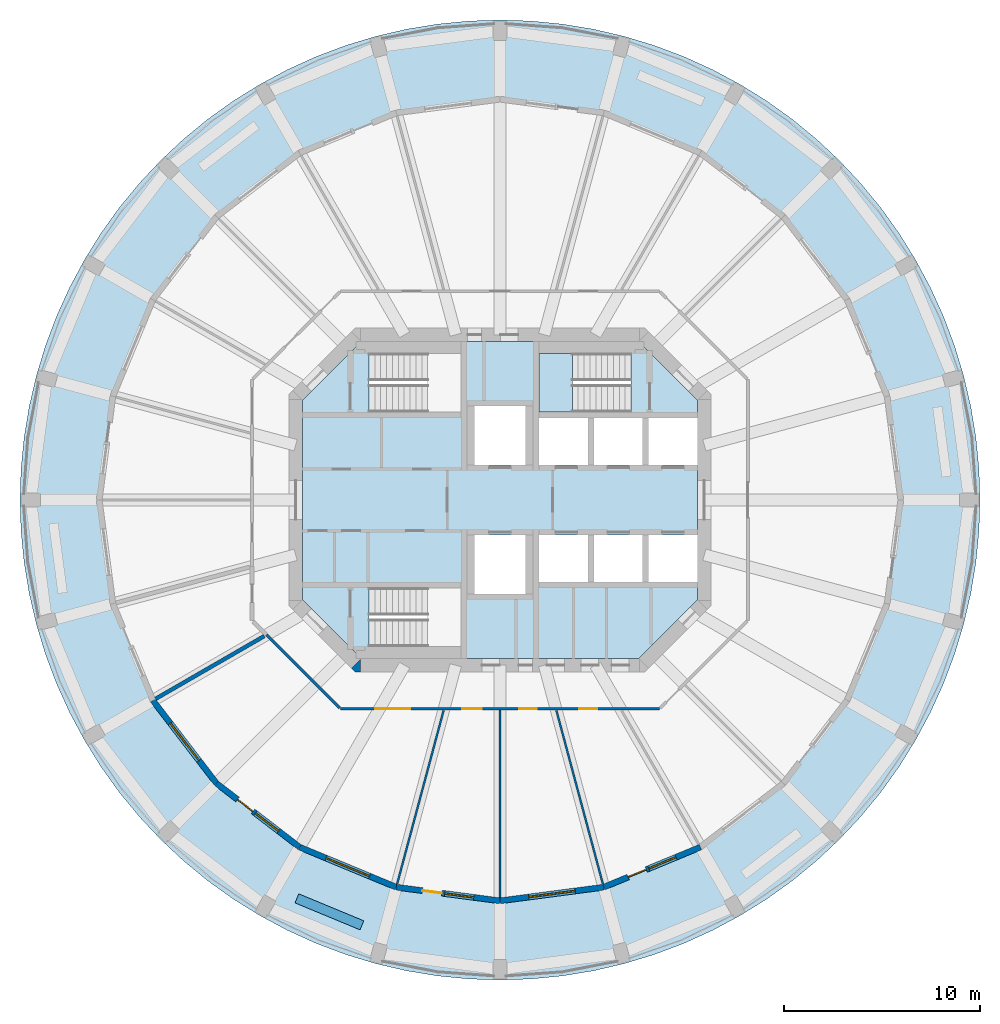
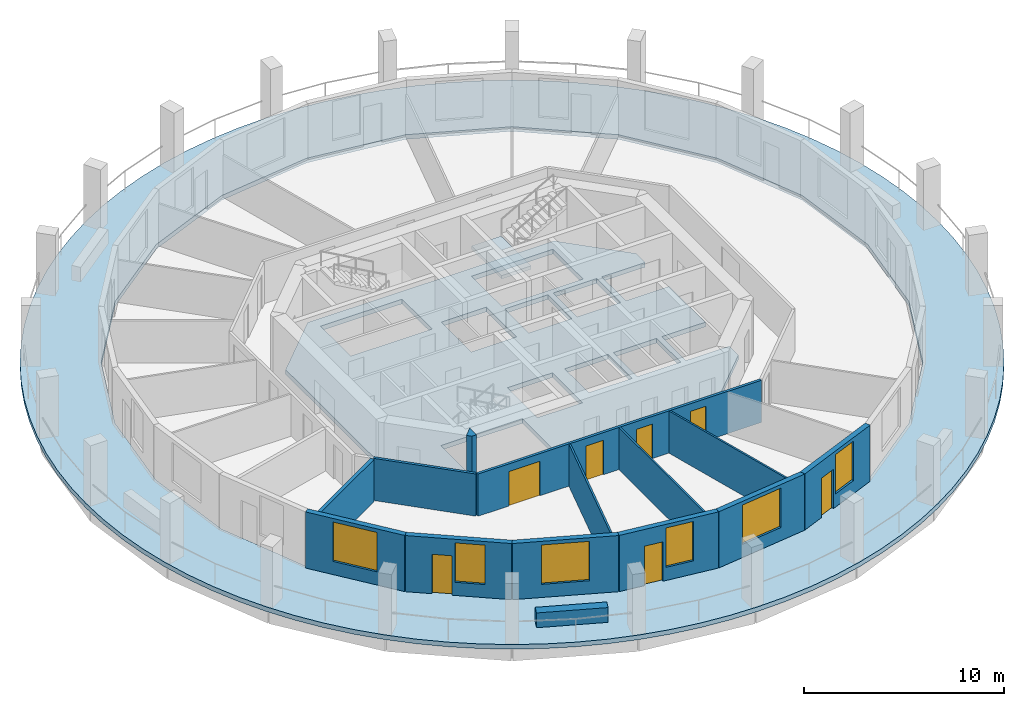
# One storey, part 2 of 9: 14 walls, 7 doors, 6 windows, 3 slabs, 13 openings, 1 element without a shape of its own.
"""IFC4 building model written with IfcOpenShell, lengths in metres."""

from ifc_helpers import new_model, si_unit, direction, frame, frame_2d, origin, place, context, subcontext, project, spatial, polyline, rectangle, outline, extrude, material, layer, layer_set, type_object, element, fill, aggregate, save


model = new_model("IFC4")

# Units and contexts
model_context = context("Model", 3, precision=1e-05, world=origin(), true_north=direction((0.0, 1.0)))
body_context = subcontext(model_context, "Body", "Model", "MODEL_VIEW")
ifc_project = project(units=[si_unit("LENGTHUNIT", "METRE"), si_unit("AREAUNIT", "SQUARE_METRE"), si_unit("VOLUMEUNIT", "CUBIC_METRE"), si_unit("PLANEANGLEUNIT", "RADIAN"), si_unit("MASSUNIT", "GRAM", prefix="KILO")], contexts=[model_context])

# Site, building, storey
site_placement = place(None, origin())
site = spatial("IfcSite", under=ifc_project, at=site_placement, CompositionType="ELEMENT")
building_placement = place(site_placement, origin())
building = spatial("IfcBuilding", under=site, at=building_placement, Name="Torre Triforio", CompositionType="ELEMENT")
storey_placement = place(building_placement, frame((0.0, 0.0, 244.60009765625)))
storey = spatial("IfcBuildingStorey", under=building, at=storey_placement, Name="L56", CompositionType="ELEMENT", Elevation=244.60009765625)

# Slabs
ifc_material_1 = material(Name="Concrete C50", Category="concrete")
ifc_layer_1 = layer(ifc_material_1, 0.280029296875)
ifc_layer_set_1 = layer_set([ifc_layer_1], Name="Concrete C50")
slab_type_1 = type_object("IfcSlabType", Name="Core floor slab 280 mm C50 REI 120", PredefinedType="FLOOR", material=ifc_layer_set_1)
slab_1_placement = place(storey_placement, frame((0.0, 0.0, -0.280029296875)))
element("IfcSlab", 1, at=slab_1_placement, inside=storey, type_object=slab_type_1, Name="Core floor slab", PredefinedType="FLOOR", context=body_context, shape_type="SweptSolid", body=[
    extrude(outline(polyline([(10.10009765625, -5.10009765625), (7.10009765625, -8.10009765625), (-7.10009765625, -8.10009765625), (-10.10009765625, -5.10009765625), (-10.10009765625, 5.10009765625), (-7.10009765625, 8.10009765625), (7.10009765625, 8.10009765625), (10.10009765625, 5.10009765625), (10.10009765625, 4.199951171875), (7.60009765625, 4.199951171875), (7.60009765625, 1.800048828125), (10.10009765625, 1.800048828125), (10.10009765625, -1.800048828125), (7.60009765625, -1.800048828125), (7.60009765625, -4.199951171875), (10.10009765625, -4.199951171875), (10.10009765625, -5.10009765625)]), holes=[polyline([(-6.696044921875, -4.5), (-6.696044921875, -7.5), (-2.0, -7.5), (-2.0, -4.5), (-6.696044921875, -4.5)]), polyline([(-1.300048828125, -1.800048828125), (-1.300048828125, -4.800048828125), (1.300048828125, -4.800048828125), (1.300048828125, -1.800048828125), (-1.300048828125, -1.800048828125)]), polyline([(2.0, -1.800048828125), (2.0, -4.199951171875), (4.5, -4.199951171875), (4.5, -1.800048828125), (2.0, -1.800048828125)]), polyline([(4.5, 4.199951171875), (2.0, 4.199951171875), (2.0, 1.800048828125), (4.5, 1.800048828125), (4.5, 4.199951171875)]), polyline([(1.300048828125, 4.800048828125), (-1.300048828125, 4.800048828125), (-1.300048828125, 1.800048828125), (1.300048828125, 1.800048828125), (1.300048828125, 4.800048828125)]), polyline([(-6.696044921875, 7.5), (-6.696044921875, 4.5), (-2.0, 4.5), (-2.0, 7.5), (-6.696044921875, 7.5)]), polyline([(7.300048828125, -1.800048828125), (4.800048828125, -1.800048828125), (4.800048828125, -4.199951171875), (7.300048828125, -4.199951171875), (7.300048828125, -1.800048828125)]), polyline([(4.800048828125, 4.199951171875), (4.800048828125, 1.800048828125), (7.300048828125, 1.800048828125), (7.300048828125, 4.199951171875), (4.800048828125, 4.199951171875)]), polyline([(6.696044921875, 7.5), (2.0, 7.5), (2.0, 4.5), (6.696044921875, 4.5), (6.696044921875, 7.5)])]), origin(), (0.0, 0.0, 1.0), 0.280029296875),
])
ifc_material_2 = material(Name="Concrete C40", Category="concrete")
ifc_layer_2 = layer(ifc_material_2, 0.280029296875)
ifc_layer_set_2 = layer_set([ifc_layer_2], Name="Concrete C40")
slab_type_2 = type_object("IfcSlabType", Name="Loggia slab 280 C40", PredefinedType="FLOOR", material=ifc_layer_set_2)
slab_2_placement = place(storey_placement, frame((0.0, 0.0, -0.280029296875)))
element("IfcSlab", 2, at=slab_2_placement, inside=storey, type_object=slab_type_2, Name="SL.L56.LG", PredefinedType="FLOOR", context=body_context, shape_type="SweptSolid", body=[
    extrude(outline(polyline([(24.49755859375, -1.605712890625), (24.550048828125, 0.0), (24.49755859375, 1.605712890625), (24.340087890625, 3.204345703125), (24.078369140625, 4.78955078125), (23.71337890625, 6.35400390625), (23.2470703125, 7.891357421875), (22.68115234375, 9.394775390625), (22.018310546875, 10.858154296875), (21.260986328125, 12.27490234375), (20.41259765625, 13.63916015625), (19.476806640625, 14.945068359375), (18.457763671875, 16.18701171875), (17.359375, 17.359375), (16.18701171875, 18.457763671875), (14.945068359375, 19.476806640625), (13.63916015625, 20.41259765625), (12.27490234375, 21.260986328125), (10.858154296875, 22.018310546875), (9.394775390625, 22.68115234375), (7.891357421875, 23.2470703125), (6.35400390625, 23.71337890625), (4.78955078125, 24.078369140625), (3.204345703125, 24.340087890625), (1.605712890625, 24.49755859375), (0.0, 24.550048828125), (-1.605712890625, 24.49755859375), (-3.204345703125, 24.340087890625), (-4.78955078125, 24.078369140625), (-6.35400390625, 23.71337890625), (-7.891357421875, 23.2470703125), (-9.394775390625, 22.68115234375), (-10.858154296875, 22.018310546875), (-12.27490234375, 21.260986328125), (-13.63916015625, 20.41259765625), (-14.945068359375, 19.476806640625), (-16.18701171875, 18.457763671875), (-17.359375, 17.359375), (-18.457763671875, 16.18701171875), (-19.476806640625, 14.945068359375), (-20.41259765625, 13.63916015625), (-21.260986328125, 12.27490234375), (-22.018310546875, 10.858154296875), (-22.68115234375, 9.394775390625), (-23.2470703125, 7.891357421875), (-23.71337890625, 6.35400390625), (-24.078369140625, 4.78955078125), (-24.340087890625, 3.204345703125), (-24.49755859375, 1.605712890625), (-24.550048828125, 0.0), (-24.49755859375, -1.605712890625), (-24.340087890625, -3.204345703125), (-24.078369140625, -4.78955078125), (-23.71337890625, -6.35400390625), (-23.2470703125, -7.891357421875), (-22.68115234375, -9.394775390625), (-22.018310546875, -10.858154296875), (-21.260986328125, -12.27490234375), (-20.41259765625, -13.63916015625), (-19.476806640625, -14.945068359375), (-18.457763671875, -16.18701171875), (-17.359375, -17.359375), (-16.18701171875, -18.457763671875), (-14.945068359375, -19.476806640625), (-13.63916015625, -20.41259765625), (-12.27490234375, -21.260986328125), (-10.858154296875, -22.018310546875), (-9.394775390625, -22.68115234375), (-7.891357421875, -23.2470703125), (-6.35400390625, -23.71337890625), (-4.78955078125, -24.078369140625), (-3.204345703125, -24.340087890625), (-1.605712890625, -24.49755859375), (0.0, -24.550048828125), (1.605712890625, -24.49755859375), (3.204345703125, -24.340087890625), (4.78955078125, -24.078369140625), (6.35400390625, -23.71337890625), (7.891357421875, -23.2470703125), (9.394775390625, -22.68115234375), (10.858154296875, -22.018310546875), (12.27490234375, -21.260986328125), (13.63916015625, -20.41259765625), (14.945068359375, -19.476806640625), (16.18701171875, -18.457763671875), (17.359375, -17.359375), (18.457763671875, -16.18701171875), (19.476806640625, -14.945068359375), (20.41259765625, -13.63916015625), (21.260986328125, -12.27490234375), (22.018310546875, -10.858154296875), (22.68115234375, -9.394775390625), (23.2470703125, -7.891357421875), (23.71337890625, -6.35400390625), (24.078369140625, -4.78955078125), (24.340087890625, -3.204345703125), (24.49755859375, -1.605712890625)]), holes=[polyline([(19.801513671875, 5.305908203125), (20.5, 0.0), (19.801513671875, -5.305908203125), (17.75341796875, -10.25), (14.49560546875, -14.49560546875), (10.25, -17.75341796875), (5.305908203125, -19.801513671875), (0.0, -20.5), (-5.305908203125, -19.801513671875), (-10.25, -17.75341796875), (-14.49560546875, -14.49560546875), (-17.75341796875, -10.25), (-19.801513671875, -5.305908203125), (-20.5, 0.0), (-19.801513671875, 5.305908203125), (-17.75341796875, 10.25), (-14.49560546875, 14.49560546875), (-10.25, 17.75341796875), (-5.305908203125, 19.801513671875), (0.0, 20.5), (5.305908203125, 19.801513671875), (10.25, 17.75341796875), (14.49560546875, 14.49560546875), (17.75341796875, 10.25), (19.801513671875, 5.305908203125)])]), origin(), (0.0, 0.0, 1.0), 0.280029296875),
])

# Stair, slab
stair_type = type_object("IfcStairType", Name="STAIR HALF-TURN", PredefinedType="HALF_TURN_STAIR", material=ifc_material_2)
stair_placement = place(storey_placement, origin())
stair = element("IfcStair", 3, at=stair_placement, inside=storey, type_object=stair_type, Name="Exit stair 2", PredefinedType="HALF_TURN_STAIR")
ifc_layer_3 = layer(ifc_material_2, 0.199951171875)
ifc_layer_set_3 = layer_set([ifc_layer_3], Name="Concrete C40")
slab_type_3 = type_object("IfcSlabType", Name="STAIR LANDING 200", PredefinedType="LANDING", material=ifc_layer_set_3)
slab_3_placement = place(storey_placement, frame((0.0, 0.0, 1.64990234375)))
slab_3 = element("IfcSlab", 4, at=slab_3_placement, type_object=slab_type_3, Name="ST2 landing 1", PredefinedType="LANDING", context=body_context, shape_type="SweptSolid", body=[
    extrude(outline(polyline([(3.699951171875, 4.5), (3.699951171875, 7.5), (2.0, 7.5), (2.0, 4.5), (3.699951171875, 4.5)])), origin(), (0.0, 0.0, 1.0), 0.199951171875),
])
aggregate(stair, [slab_3])

# Wall
ifc_layer_4 = layer(ifc_material_1, 0.699951171875)
ifc_layer_set_4 = layer_set([ifc_layer_4], Name="Concrete C50")
wall_type_1 = type_object("IfcWallType", Name="Core wall 700 mm C50 EI 120", PredefinedType="SHEAR", material=ifc_layer_set_4)
wall_1_placement = place(storey_placement, frame((0.0, 0.0, -0.280029296875)))
element("IfcWall", 5, at=wall_1_placement, inside=storey, type_object=wall_type_1, Name="Core wall", PredefinedType="SHEAR", context=body_context, shape_type="SweptSolid", body=[
    extrude(outline(polyline([(-7.389892578125, -8.800048828125), (-7.594970703125, -8.594970703125), (-7.594970703125, -8.594970703125), (-7.594970703125, -8.594970703125), (-7.1298828125, -8.1298828125), (-7.1298828125, -8.800048828125), (-7.1298828125, -8.800048828125), (-7.389892578125, -8.800048828125)])), origin(), (0.0, 0.0, 1.0), 3.699951171875),
])

# Wall, openings, doors
ifc_material_3 = material(Name="Plasterboard on metal studs")
ifc_layer_5 = layer(ifc_material_3, 0.14990234375)
ifc_layer_set_5 = layer_set([ifc_layer_5], Name="Plasterboard on metal studs")
wall_type_2 = type_object("IfcWallType", Name="Corridor and tenancy wall 150 mm EI 60", PredefinedType="PARTITIONING", material=ifc_layer_set_5)
wall_2_placement = place(storey_placement, frame((8.16650390625, -10.675048828125, 0.0), z_axis=(0.0, 0.0, 1.0), x_axis=(-1.0, 0.0, 0.0)))
wall_2 = element("IfcWall", 6, at=wall_2_placement, inside=storey, type_object=wall_type_2, Name="Partition 2", PredefinedType="PARTITIONING", context=body_context, shape_type="SweptSolid", body=[
    extrude(rectangle(XDim=16.3330078125, YDim=0.14990234375, at=frame_2d((8.16650390625, 0.0))), origin(), (0.0, 0.0, 1.0), 2.56982421875),
])
opening_1_placement = place(wall_2_placement, frame((12.755126953125, 0.0, 0.0)))
opening_1 = element("IfcOpeningElement", 7, at=opening_1_placement, cuts=wall_2, Name="Opening O8-01", PredefinedType="OPENING", context=body_context, shape_type="SweptSolid", body=[
    extrude(rectangle(XDim=1.800048828125, YDim=2.10009765625, at=frame_2d((0.89990234375, 1.050048828125))), frame((0.0, 0.0849609375, 0.0), z_axis=(0.0, -1.0, 0.0), x_axis=(1.0, 0.0, 0.0)), (0.0, 0.0, 1.0), 0.169921875),
])
opening_2_placement = place(wall_2_placement, frame((9.09765625, 0.0, 0.0)))
opening_2 = element("IfcOpeningElement", 8, at=opening_2_placement, cuts=wall_2, Name="Opening O8-02", PredefinedType="OPENING", context=body_context, shape_type="SweptSolid", body=[
    extrude(rectangle(XDim=1.0, YDim=2.10009765625, at=frame_2d((0.5, 1.050048828125))), frame((0.0, 0.0849609375, 0.0), z_axis=(0.0, -1.0, 0.0), x_axis=(1.0, 0.0, 0.0)), (0.0, 0.0, 1.0), 0.169921875),
])
opening_3_placement = place(wall_2_placement, frame((6.285400390625, 0.0, 0.0)))
opening_3 = element("IfcOpeningElement", 9, at=opening_3_placement, cuts=wall_2, Name="Opening O8-03", PredefinedType="OPENING", context=body_context, shape_type="SweptSolid", body=[
    extrude(rectangle(XDim=0.89990234375, YDim=2.10009765625, at=frame_2d((0.449951171875, 1.050048828125))), frame((0.0, 0.0849609375, 0.0), z_axis=(0.0, -1.0, 0.0), x_axis=(1.0, 0.0, 0.0)), (0.0, 0.0, 1.0), 0.169921875),
])
opening_4_placement = place(wall_2_placement, frame((3.200927734375, 0.0, 0.0)))
opening_4 = element("IfcOpeningElement", 10, at=opening_4_placement, cuts=wall_2, Name="Opening O8-04", PredefinedType="OPENING", context=body_context, shape_type="SweptSolid", body=[
    extrude(rectangle(XDim=0.89990234375, YDim=2.10009765625, at=frame_2d((0.449951171875, 1.050048828125))), frame((0.0, 0.0849609375, 0.0), z_axis=(0.0, -1.0, 0.0), x_axis=(1.0, 0.0, 0.0)), (0.0, 0.0, 1.0), 0.169921875),
])
ifc_material_4 = material(Name="Timber", Category="wood")
door_type_1 = type_object("IfcDoorType", Name="Door 1000 x 2100 single leaf EI 30", OperationType="NOTDEFINED", PredefinedType="DOOR", material=ifc_material_4)
door_1_placement = place(opening_2_placement, origin())
door_1 = element("IfcDoor", 11, at=door_1_placement, inside=storey, type_object=door_type_1, Name="Door O8-02", OperationType="SINGLE_SWING_LEFT", OverallHeight=2.10009765625, OverallWidth=1.0, PredefinedType="DOOR", context=body_context, shape_type="SweptSolid", body=[
    extrude(rectangle(XDim=1.0, YDim=2.10009765625, at=frame_2d((0.5, 1.050048828125))), frame((0.0, 0.02490234375, 0.0), z_axis=(0.0, -1.0, 0.0), x_axis=(1.0, 0.0, 0.0)), (0.0, 0.0, 1.0), 0.050048828125),
])
fill(opening_2, door_1)
door_type_2 = type_object("IfcDoorType", Name="Door 1800 x 2100 double leaf EI 30", OperationType="DOUBLE_DOOR_SINGLE_SWING", PredefinedType="DOOR", material=ifc_material_4)
door_2_placement = place(opening_1_placement, origin())
door_2 = element("IfcDoor", 12, at=door_2_placement, inside=storey, type_object=door_type_2, Name="Door O8-01", OperationType="DOUBLE_DOOR_SINGLE_SWING", OverallHeight=2.10009765625, OverallWidth=1.800048828125, PredefinedType="DOOR", context=body_context, shape_type="SweptSolid", body=[
    extrude(rectangle(XDim=1.800048828125, YDim=2.10009765625, at=frame_2d((0.89990234375, 1.050048828125))), frame((0.0, 0.02490234375, 0.0), z_axis=(0.0, -1.0, 0.0), x_axis=(1.0, 0.0, 0.0)), (0.0, 0.0, 1.0), 0.050048828125),
])
fill(opening_1, door_2)
door_type_3 = type_object("IfcDoorType", Name="Door 900 x 2100 single leaf EI 30", OperationType="NOTDEFINED", PredefinedType="DOOR", material=ifc_material_4)
door_3_placement = place(opening_3_placement, origin())
door_3 = element("IfcDoor", 13, at=door_3_placement, inside=storey, type_object=door_type_3, Name="Door O8-03", OperationType="SINGLE_SWING_LEFT", OverallHeight=2.10009765625, OverallWidth=0.89990234375, PredefinedType="DOOR", context=body_context, shape_type="SweptSolid", body=[
    extrude(rectangle(XDim=0.89990234375, YDim=2.10009765625, at=frame_2d((0.449951171875, 1.050048828125))), frame((0.0, 0.02490234375, 0.0), z_axis=(0.0, -1.0, 0.0), x_axis=(1.0, 0.0, 0.0)), (0.0, 0.0, 1.0), 0.050048828125),
])
fill(opening_3, door_3)
door_4_placement = place(opening_4_placement, origin())
door_4 = element("IfcDoor", 14, at=door_4_placement, inside=storey, type_object=door_type_3, Name="Door O8-04", OperationType="SINGLE_SWING_LEFT", OverallHeight=2.10009765625, OverallWidth=0.89990234375, PredefinedType="DOOR", context=body_context, shape_type="SweptSolid", body=[
    extrude(rectangle(XDim=0.89990234375, YDim=2.10009765625, at=frame_2d((0.449951171875, 1.050048828125))), frame((0.0, 0.02490234375, 0.0), z_axis=(0.0, -1.0, 0.0), x_axis=(1.0, 0.0, 0.0)), (0.0, 0.0, 1.0), 0.050048828125),
])
fill(opening_4, door_4)

# Walls
wall_3_placement = place(storey_placement, frame((-8.20361328125, -10.637939453125, 0.0), z_axis=(0.0, 0.0, 1.0), x_axis=(-0.707106781187, 0.707106781187, 0.0)))
element("IfcWall", 15, at=wall_3_placement, inside=storey, type_object=wall_type_2, Name="Partition 3", PredefinedType="PARTITIONING", context=body_context, shape_type="SweptSolid", body=[
    extrude(rectangle(XDim=5.291259765625, YDim=0.14990234375, at=frame_2d((2.6455078125, 0.0))), origin(), (0.0, 0.0, 1.0), 2.56982421875),
])
ifc_layer_6 = layer(ifc_material_3, 0.10009765625)
ifc_layer_set_6 = layer_set([ifc_layer_6], Name="Plasterboard on metal studs")
wall_type_3 = type_object("IfcWallType", Name="Partition 100 mm board on metal studs", PredefinedType="PARTITIONING", material=ifc_layer_set_6)
wall_4_placement = place(storey_placement, frame((-2.88427734375, -10.764404296875, 0.0), z_axis=(0.0, 0.0, 1.0), x_axis=(-0.258811310764, -0.965927898666, 0.0)))
element("IfcWall", 16, at=wall_4_placement, inside=storey, type_object=wall_type_3, Name="Partition 22", PredefinedType="PARTITIONING", context=body_context, shape_type="SweptSolid", body=[
    extrude(rectangle(XDim=9.192626953125, YDim=0.10009765625, at=frame_2d((4.59619140625, 0.0))), origin(), (0.0, 0.0, 1.0), 2.56982421875),
])
wall_5_placement = place(storey_placement, frame((0.0, -10.75, 0.0), z_axis=(0.0, 0.0, 1.0), x_axis=(0.0, -1.0, 0.0)))
element("IfcWall", 17, at=wall_5_placement, inside=storey, type_object=wall_type_3, Name="Partition 23", PredefinedType="PARTITIONING", context=body_context, shape_type="SweptSolid", body=[
    extrude(rectangle(XDim=9.586669921875, YDim=0.10009765625, at=frame_2d((4.79345703125, 0.0))), origin(), (0.0, 0.0, 1.0), 2.56982421875),
])
wall_6_placement = place(storey_placement, frame((2.88427734375, -10.764404296875, 0.0), z_axis=(0.0, 0.0, 1.0), x_axis=(0.258811310764, -0.965927898666, 0.0)))
element("IfcWall", 18, at=wall_6_placement, inside=storey, type_object=wall_type_3, Name="Partition 24", PredefinedType="PARTITIONING", context=body_context, shape_type="SweptSolid", body=[
    extrude(rectangle(XDim=9.192626953125, YDim=0.10009765625, at=frame_2d((4.59619140625, 0.0))), origin(), (0.0, 0.0, 1.0), 2.56982421875),
])
ifc_material_5 = material(Name="Masonry block", Category="masonry")
ifc_layer_7 = layer(ifc_material_5, 0.199951171875)
ifc_layer_set_7 = layer_set([ifc_layer_7], Name="Masonry block")
wall_type_4 = type_object("IfcWallType", Name="Plant room wall 200 mm block EI 120", PredefinedType="PARTITIONING", material=ifc_layer_set_7)
wall_7_placement = place(storey_placement, frame((-12.0576171875, -6.96142578125, 0.0), z_axis=(0.0, 0.0, 1.0), x_axis=(-0.866013799398, -0.500020098848, 0.0)))
element("IfcWall", 19, at=wall_7_placement, inside=storey, type_object=wall_type_4, Name="Partition 21", PredefinedType="PARTITIONING", context=body_context, shape_type="SweptSolid", body=[
    extrude(rectangle(XDim=6.413818359375, YDim=0.199951171875, at=frame_2d((3.20703125, 0.0))), origin(), (0.0, 0.0, 1.0), 2.56982421875),
])
ifc_material_6 = material(Name="Limestone cladding", Category="masonry")
ifc_layer_8 = layer(ifc_material_6, 0.10009765625)
ifc_layer_9 = layer(ifc_material_2, 0.39990234375)
ifc_layer_set_8 = layer_set([ifc_layer_8, ifc_layer_9], Name="Limestone cladding / Concrete C40")
wall_type_5 = type_object("IfcWallType", Name="Planter wall 500", PredefinedType="PARAPET", material=ifc_layer_set_8)
wall_8_placement = place(storey_placement, frame((-10.38818359375, -20.37548828125, 0.0), z_axis=(0.0, 0.0, 1.0), x_axis=(0.923851510231, -0.38275107713, 0.0)))
element("IfcWall", 20, at=wall_8_placement, inside=storey, type_object=wall_type_5, Name="Planter L56 bay 17", PredefinedType="PARAPET", context=body_context, shape_type="SweptSolid", body=[
    extrude(rectangle(XDim=3.60009765625, YDim=0.5, at=frame_2d((1.800048828125, 0.0))), origin(), (0.0, 0.0, 1.0), 0.89990234375),
])

# Wall, opening, window
ifc_layer_10 = layer(ifc_material_6, 0.10009765625)
ifc_layer_11 = layer(ifc_material_2, 0.199951171875)
ifc_layer_set_9 = layer_set([ifc_layer_10, ifc_layer_11], Name="Limestone cladding / Concrete C40")
wall_type_6 = type_object("IfcWallType", Name="Stone-faced composite wall 300", PredefinedType="STANDARD", material=ifc_layer_set_9)
wall_9_placement = place(storey_placement, frame((-17.75341796875, -10.25, 0.0), z_axis=(0.0, 0.0, 1.0), x_axis=(0.60876670321, -0.793349293227, 0.0)))
wall_9 = element("IfcWall", 21, at=wall_9_placement, inside=storey, type_object=wall_type_6, Name="External wall L56 bay 15", PredefinedType="STANDARD", context=body_context, shape_type="SweptSolid", body=[
    extrude(rectangle(XDim=5.3515625, YDim=0.300048828125, at=frame_2d((2.67578125, 0.0))), origin(), (0.0, 0.0, 1.0), 3.419921875),
])
opening_5_placement = place(wall_9_placement, frame((1.475830078125, 0.0, 0.800048828125)))
opening_5 = element("IfcOpeningElement", 22, at=opening_5_placement, cuts=wall_9, Name="Opening O8-W15", PredefinedType="OPENING", context=body_context, shape_type="SweptSolid", body=[
    extrude(rectangle(XDim=2.39990234375, YDim=2.39990234375, at=frame_2d((1.199951171875, 1.199951171875))), frame((0.0, 0.159912109375, 0.0), z_axis=(0.0, -1.0, 0.0), x_axis=(1.0, 0.0, 0.0)), (0.0, 0.0, 1.0), 0.320068359375),
])
ifc_material_7 = material(Name="Aluminium frame with clear double glazing", Category="aluminium")
window_type_1 = type_object("IfcWindowType", Name="Punched window 2400 x 2400", PartitioningType="DOUBLE_PANEL_VERTICAL", PredefinedType="WINDOW", material=ifc_material_7)
window_1_placement = place(opening_5_placement, origin())
window_1 = element("IfcWindow", 23, at=window_1_placement, inside=storey, type_object=window_type_1, Name="Window EWN4 L56 bay 15", OverallHeight=2.39990234375, OverallWidth=2.39990234375, PartitioningType="SINGLE_PANEL", PredefinedType="WINDOW", context=body_context, shape_type="SweptSolid", body=[
    extrude(rectangle(XDim=2.39990234375, YDim=2.39990234375, at=frame_2d((1.199951171875, 1.199951171875))), frame((0.0, 0.030029296875, 0.0), z_axis=(0.0, -1.0, 0.0), x_axis=(1.0, 0.0, 0.0)), (0.0, 0.0, 1.0), 0.06005859375),
])
fill(opening_5, window_1)

# Wall, openings, door, window
wall_10_placement = place(storey_placement, frame((-14.49560546875, -14.49560546875, 0.0), z_axis=(0.0, 0.0, 1.0), x_axis=(0.793349293227, -0.60876670321, 0.0)))
wall_10 = element("IfcWall", 24, at=wall_10_placement, inside=storey, type_object=wall_type_6, Name="External wall L56 bay 16", PredefinedType="STANDARD", context=body_context, shape_type="SweptSolid", body=[
    extrude(rectangle(XDim=5.3515625, YDim=0.300048828125, at=frame_2d((2.67578125, 0.0))), origin(), (0.0, 0.0, 1.0), 3.419921875),
])
opening_6_placement = place(wall_10_placement, frame((1.350830078125, 0.0, 0.0)))
opening_6 = element("IfcOpeningElement", 25, at=opening_6_placement, cuts=wall_10, Name="Opening O8-D16", PredefinedType="OPENING", context=body_context, shape_type="SweptSolid", body=[
    extrude(rectangle(XDim=1.0, YDim=2.39990234375, at=frame_2d((0.5, 1.199951171875))), frame((0.0, 0.159912109375, 0.0), z_axis=(0.0, -1.0, 0.0), x_axis=(1.0, 0.0, 0.0)), (0.0, 0.0, 1.0), 0.320068359375),
])
opening_7_placement = place(wall_10_placement, frame((2.500732421875, 0.0, 0.800048828125)))
opening_7 = element("IfcOpeningElement", 26, at=opening_7_placement, cuts=wall_10, Name="Opening O8-W16A", PredefinedType="OPENING", context=body_context, shape_type="SweptSolid", body=[
    extrude(rectangle(XDim=1.5, YDim=2.39990234375, at=frame_2d((0.75, 1.199951171875))), frame((0.0, 0.159912109375, 0.0), z_axis=(0.0, -1.0, 0.0), x_axis=(1.0, 0.0, 0.0)), (0.0, 0.0, 1.0), 0.320068359375),
])
door_type_4 = type_object("IfcDoorType", Name="Loggia door 1000 x 2400", OperationType="NOTDEFINED", PredefinedType="DOOR", material=ifc_material_7)
door_5_placement = place(opening_6_placement, origin())
door_5 = element("IfcDoor", 27, at=door_5_placement, inside=storey, type_object=door_type_4, Name="Loggia door L56 bay 16", OperationType="SINGLE_SWING_LEFT", OverallHeight=2.39990234375, OverallWidth=1.0, PredefinedType="DOOR", context=body_context, shape_type="SweptSolid", body=[
    extrude(rectangle(XDim=1.0, YDim=2.39990234375, at=frame_2d((0.5, 1.199951171875))), frame((0.0, 0.02490234375, 0.0), z_axis=(0.0, -1.0, 0.0), x_axis=(1.0, 0.0, 0.0)), (0.0, 0.0, 1.0), 0.050048828125),
])
fill(opening_6, door_5)
window_type_2 = type_object("IfcWindowType", Name="Side window 1500 x 2400", PartitioningType="SINGLE_PANEL", PredefinedType="WINDOW", material=ifc_material_7)
window_2_placement = place(opening_7_placement, origin())
window_2 = element("IfcWindow", 28, at=window_2_placement, inside=storey, type_object=window_type_2, Name="Side window EWN14 L56 bay 16", OverallHeight=2.39990234375, OverallWidth=1.5, PartitioningType="SINGLE_PANEL", PredefinedType="WINDOW", context=body_context, shape_type="SweptSolid", body=[
    extrude(rectangle(XDim=1.5, YDim=2.39990234375, at=frame_2d((0.75, 1.199951171875))), frame((0.0, 0.030029296875, 0.0), z_axis=(0.0, -1.0, 0.0), x_axis=(1.0, 0.0, 0.0)), (0.0, 0.0, 1.0), 0.06005859375),
])
fill(opening_7, window_2)

# Wall, opening, window
wall_11_placement = place(storey_placement, frame((-10.25, -17.75341796875, 0.0), z_axis=(0.0, 0.0, 1.0), x_axis=(0.923867255172, -0.382713071139, 0.0)))
wall_11 = element("IfcWall", 29, at=wall_11_placement, inside=storey, type_object=wall_type_6, Name="External wall L56 bay 17", PredefinedType="STANDARD", context=body_context, shape_type="SweptSolid", body=[
    extrude(rectangle(XDim=5.3515625, YDim=0.300048828125, at=frame_2d((2.67578125, 0.0))), origin(), (0.0, 0.0, 1.0), 3.419921875),
])
opening_8_placement = place(wall_11_placement, frame((1.475830078125, 0.0, 0.800048828125)))
opening_8 = element("IfcOpeningElement", 30, at=opening_8_placement, cuts=wall_11, Name="Opening O8-W17", PredefinedType="OPENING", context=body_context, shape_type="SweptSolid", body=[
    extrude(rectangle(XDim=2.39990234375, YDim=2.39990234375, at=frame_2d((1.199951171875, 1.199951171875))), frame((0.0, 0.159912109375, 0.0), z_axis=(0.0, -1.0, 0.0), x_axis=(1.0, 0.0, 0.0)), (0.0, 0.0, 1.0), 0.320068359375),
])
window_3_placement = place(opening_8_placement, origin())
window_3 = element("IfcWindow", 31, at=window_3_placement, inside=storey, type_object=window_type_1, Name="Window EWN4 L56 bay 17", OverallHeight=2.39990234375, OverallWidth=2.39990234375, PartitioningType="SINGLE_PANEL", PredefinedType="WINDOW", context=body_context, shape_type="SweptSolid", body=[
    extrude(rectangle(XDim=2.39990234375, YDim=2.39990234375, at=frame_2d((1.199951171875, 1.199951171875))), frame((0.0, 0.030029296875, 0.0), z_axis=(0.0, -1.0, 0.0), x_axis=(1.0, 0.0, 0.0)), (0.0, 0.0, 1.0), 0.06005859375),
])
fill(opening_8, window_3)

# Wall, openings, door, window
wall_12_placement = place(storey_placement, frame((-5.305908203125, -19.801513671875, 0.0), z_axis=(0.0, 0.0, 1.0), x_axis=(0.991446064069, -0.130517056518, 0.0)))
wall_12 = element("IfcWall", 32, at=wall_12_placement, inside=storey, type_object=wall_type_6, Name="External wall L56 bay 18", PredefinedType="STANDARD", context=body_context, shape_type="SweptSolid", body=[
    extrude(rectangle(XDim=5.351806640625, YDim=0.300048828125, at=frame_2d((2.67578125, 0.0))), origin(), (0.0, 0.0, 1.0), 3.419921875),
])
opening_9_placement = place(wall_12_placement, frame((1.350830078125, 0.0, 0.0)))
opening_9 = element("IfcOpeningElement", 33, at=opening_9_placement, cuts=wall_12, Name="Opening O8-D18", PredefinedType="OPENING", context=body_context, shape_type="SweptSolid", body=[
    extrude(rectangle(XDim=1.0, YDim=2.39990234375, at=frame_2d((0.5, 1.199951171875))), frame((0.0, 0.159912109375, 0.0), z_axis=(0.0, -1.0, 0.0), x_axis=(1.0, 0.0, 0.0)), (0.0, 0.0, 1.0), 0.320068359375),
])
opening_10_placement = place(wall_12_placement, frame((2.500732421875, 0.0, 0.800048828125)))
opening_10 = element("IfcOpeningElement", 34, at=opening_10_placement, cuts=wall_12, Name="Opening O8-W18A", PredefinedType="OPENING", context=body_context, shape_type="SweptSolid", body=[
    extrude(rectangle(XDim=1.5, YDim=2.39990234375, at=frame_2d((0.75, 1.199951171875))), frame((0.0, 0.159912109375, 0.0), z_axis=(0.0, -1.0, 0.0), x_axis=(1.0, 0.0, 0.0)), (0.0, 0.0, 1.0), 0.320068359375),
])
door_6_placement = place(opening_9_placement, origin())
door_6 = element("IfcDoor", 35, at=door_6_placement, inside=storey, type_object=door_type_4, Name="Loggia door L56 bay 18", OperationType="SINGLE_SWING_LEFT", OverallHeight=2.39990234375, OverallWidth=1.0, PredefinedType="DOOR", context=body_context, shape_type="SweptSolid", body=[
    extrude(rectangle(XDim=1.0, YDim=2.39990234375, at=frame_2d((0.5, 1.199951171875))), frame((0.0, 0.02490234375, 0.0), z_axis=(0.0, -1.0, 0.0), x_axis=(1.0, 0.0, 0.0)), (0.0, 0.0, 1.0), 0.050048828125),
])
fill(opening_9, door_6)
window_4_placement = place(opening_10_placement, origin())
window_4 = element("IfcWindow", 36, at=window_4_placement, inside=storey, type_object=window_type_2, Name="Side window EWN14 L56 bay 18", OverallHeight=2.39990234375, OverallWidth=1.5, PartitioningType="SINGLE_PANEL", PredefinedType="WINDOW", context=body_context, shape_type="SweptSolid", body=[
    extrude(rectangle(XDim=1.5, YDim=2.39990234375, at=frame_2d((0.75, 1.199951171875))), frame((0.0, 0.030029296875, 0.0), z_axis=(0.0, -1.0, 0.0), x_axis=(1.0, 0.0, 0.0)), (0.0, 0.0, 1.0), 0.06005859375),
])
fill(opening_10, window_4)

# Wall, opening, window
wall_13_placement = place(storey_placement, frame((0.0, -20.5, 0.0), z_axis=(0.0, 0.0, 1.0), x_axis=(0.991446064069, 0.130517056518, 0.0)))
wall_13 = element("IfcWall", 37, at=wall_13_placement, inside=storey, type_object=wall_type_6, Name="External wall L56 bay 19", PredefinedType="STANDARD", context=body_context, shape_type="SweptSolid", body=[
    extrude(rectangle(XDim=5.351806640625, YDim=0.300048828125, at=frame_2d((2.67578125, 0.0))), origin(), (0.0, 0.0, 1.0), 3.419921875),
])
opening_11_placement = place(wall_13_placement, frame((1.475830078125, 0.0, 0.800048828125)))
opening_11 = element("IfcOpeningElement", 38, at=opening_11_placement, cuts=wall_13, Name="Opening O8-W19", PredefinedType="OPENING", context=body_context, shape_type="SweptSolid", body=[
    extrude(rectangle(XDim=2.39990234375, YDim=2.39990234375, at=frame_2d((1.199951171875, 1.199951171875))), frame((0.0, 0.159912109375, 0.0), z_axis=(0.0, -1.0, 0.0), x_axis=(1.0, 0.0, 0.0)), (0.0, 0.0, 1.0), 0.320068359375),
])
window_5_placement = place(opening_11_placement, origin())
window_5 = element("IfcWindow", 39, at=window_5_placement, inside=storey, type_object=window_type_1, Name="Window EWN4 L56 bay 19", OverallHeight=2.39990234375, OverallWidth=2.39990234375, PartitioningType="SINGLE_PANEL", PredefinedType="WINDOW", context=body_context, shape_type="SweptSolid", body=[
    extrude(rectangle(XDim=2.39990234375, YDim=2.39990234375, at=frame_2d((1.199951171875, 1.199951171875))), frame((0.0, 0.030029296875, 0.0), z_axis=(0.0, -1.0, 0.0), x_axis=(1.0, 0.0, 0.0)), (0.0, 0.0, 1.0), 0.06005859375),
])
fill(opening_11, window_5)

# Wall, openings, door, window
wall_14_placement = place(storey_placement, frame((5.305908203125, -19.801513671875, 0.0), z_axis=(0.0, 0.0, 1.0), x_axis=(0.923867255172, 0.382713071139, 0.0)))
wall_14 = element("IfcWall", 40, at=wall_14_placement, inside=storey, type_object=wall_type_6, Name="External wall L56 bay 20", PredefinedType="STANDARD", context=body_context, shape_type="SweptSolid", body=[
    extrude(rectangle(XDim=5.3515625, YDim=0.300048828125, at=frame_2d((2.67578125, 0.0))), origin(), (0.0, 0.0, 1.0), 3.419921875),
])
opening_12_placement = place(wall_14_placement, frame((1.350830078125, 0.0, 0.0)))
opening_12 = element("IfcOpeningElement", 41, at=opening_12_placement, cuts=wall_14, Name="Opening O8-D20", PredefinedType="OPENING", context=body_context, shape_type="SweptSolid", body=[
    extrude(rectangle(XDim=1.0, YDim=2.39990234375, at=frame_2d((0.5, 1.199951171875))), frame((0.0, 0.159912109375, 0.0), z_axis=(0.0, -1.0, 0.0), x_axis=(1.0, 0.0, 0.0)), (0.0, 0.0, 1.0), 0.320068359375),
])
opening_13_placement = place(wall_14_placement, frame((2.500732421875, 0.0, 0.800048828125)))
opening_13 = element("IfcOpeningElement", 42, at=opening_13_placement, cuts=wall_14, Name="Opening O8-W20A", PredefinedType="OPENING", context=body_context, shape_type="SweptSolid", body=[
    extrude(rectangle(XDim=1.5, YDim=2.39990234375, at=frame_2d((0.75, 1.199951171875))), frame((0.0, 0.159912109375, 0.0), z_axis=(0.0, -1.0, 0.0), x_axis=(1.0, 0.0, 0.0)), (0.0, 0.0, 1.0), 0.320068359375),
])
door_7_placement = place(opening_12_placement, origin())
door_7 = element("IfcDoor", 43, at=door_7_placement, inside=storey, type_object=door_type_4, Name="Loggia door L56 bay 20", OperationType="SINGLE_SWING_LEFT", OverallHeight=2.39990234375, OverallWidth=1.0, PredefinedType="DOOR", context=body_context, shape_type="SweptSolid", body=[
    extrude(rectangle(XDim=1.0, YDim=2.39990234375, at=frame_2d((0.5, 1.199951171875))), frame((0.0, 0.02490234375, 0.0), z_axis=(0.0, -1.0, 0.0), x_axis=(1.0, 0.0, 0.0)), (0.0, 0.0, 1.0), 0.050048828125),
])
fill(opening_12, door_7)
window_6_placement = place(opening_13_placement, origin())
window_6 = element("IfcWindow", 44, at=window_6_placement, inside=storey, type_object=window_type_2, Name="Side window EWN14 L56 bay 20", OverallHeight=2.39990234375, OverallWidth=1.5, PartitioningType="SINGLE_PANEL", PredefinedType="WINDOW", context=body_context, shape_type="SweptSolid", body=[
    extrude(rectangle(XDim=1.5, YDim=2.39990234375, at=frame_2d((0.75, 1.199951171875))), frame((0.0, 0.030029296875, 0.0), z_axis=(0.0, -1.0, 0.0), x_axis=(1.0, 0.0, 0.0)), (0.0, 0.0, 1.0), 0.06005859375),
])
fill(opening_13, window_6)

save(model, "model.ifc")
